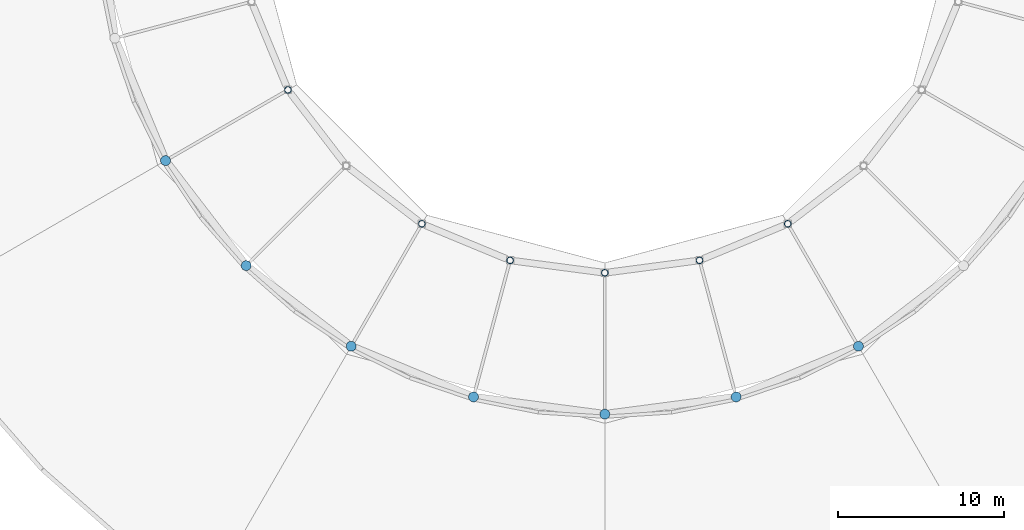
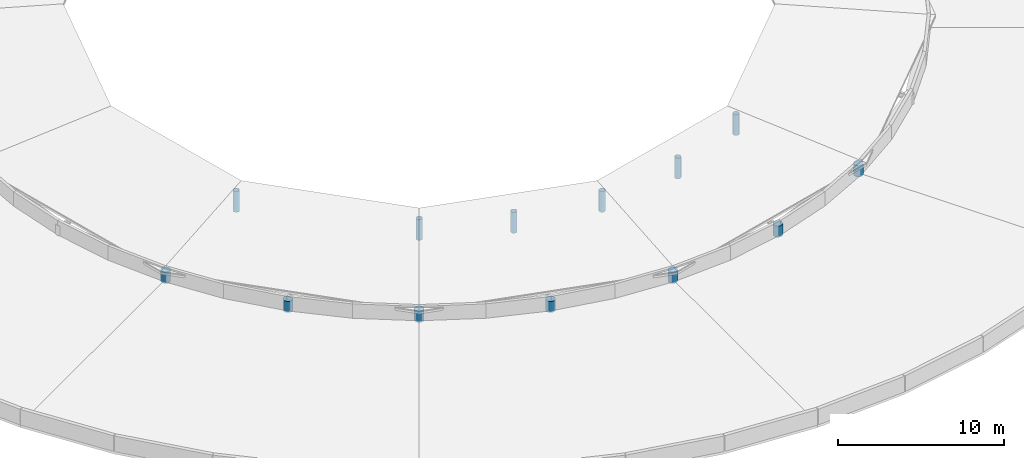
# One storey, part 1 of 77: 13 columns.
"""IFC4 building model written with IfcOpenShell, lengths in metres."""

import ifcopenshell
import ifcopenshell.guid

model = None  # the IFC model being written
_history = None  # IfcOwnerHistory: only IFC2X3 demands one
_inside = {}  # id of a spatial element -> (the spatial element, [elements in it])
_under = {}  # id of a project, library or spatial element -> (it, [spatial elements below it])
_declared = {}  # id of a project -> (the project, [libraries it declares])
_typed = {}  # id of a type object -> (the type object, [elements of that type])
_made_of = {}  # id of a material, layer set ... -> (it, [elements and type objects made of it])


def new_model(schema):
    """Start an empty IFC model of exactly this schema.

    Asked for "IFC4X3", IfcOpenShell would pick the latest addendum, in which some entities
    have other attributes; the version numbers below select the first issue.
    IFC2X3 requires an IfcOwnerHistory on every rooted entity: one is made here for all.
    """
    global model, _history
    if schema == "IFC4X3":
        model = ifcopenshell.file(schema_version=(4, 3, 0, 0))
    else:
        model = ifcopenshell.file(schema=schema)
    _inside.clear()
    _under.clear()
    _declared.clear()
    _typed.clear()
    _made_of.clear()
    _history = None
    if model.schema == "IFC2X3":
        org = make("IfcOrganization", Name="unknown")
        user = make(
            "IfcPersonAndOrganization",
            ThePerson=make("IfcPerson", FamilyName="unknown"),
            TheOrganization=org,
        )
        app = make(
            "IfcApplication",
            ApplicationDeveloper=org,
            Version="unknown",
            ApplicationFullName="unknown",
            ApplicationIdentifier="unknown",
        )
        _history = make(
            "IfcOwnerHistory",
            OwningUser=user,
            OwningApplication=app,
            ChangeAction="ADDED",
            CreationDate=0,
        )
    return model


def make(cls, **values):
    """One entity of the class cls with the attributes given. An attribute that is None is left unset."""
    return model.create_entity(
        cls, **{name: value for name, value in values.items() if value is not None}
    )


def rooted(cls, **values):
    """An entity with a GlobalId (a new one), such as an element, a storey or a relation."""
    return make(cls, GlobalId=ifcopenshell.guid.new(), OwnerHistory=_history, **values)


def si_unit(unit_type, name, prefix=None):
    """IfcSIUnit, for example si_unit("LENGTHUNIT", "METRE", prefix="MILLI")."""
    return make("IfcSIUnit", UnitType=unit_type, Prefix=prefix, Name=name)


def assignment(units):
    """IfcUnitAssignment: the units of a project."""
    return None if units is None else make("IfcUnitAssignment", Units=units)


def point(xyz):
    """IfcCartesianPoint."""
    return None if xyz is None else make("IfcCartesianPoint", Coordinates=xyz)


def direction(xyz):
    """IfcDirection."""
    return None if xyz is None else make("IfcDirection", DirectionRatios=xyz)


def frame(location, z_axis=None, x_axis=None):
    """IfcAxis2Placement3D, a coordinate frame: its origin and axes. An axis left out is left unset."""
    return make(
        "IfcAxis2Placement3D",
        Location=point(location),
        Axis=direction(z_axis),
        RefDirection=direction(x_axis),
    )


def frame_2d(location, x_axis=None):
    """IfcAxis2Placement2D, a coordinate frame in the plane: its origin and x axis."""
    return make(
        "IfcAxis2Placement2D", Location=point(location), RefDirection=direction(x_axis)
    )


def origin():
    """The frame at (0, 0, 0) with its axes left unset."""
    return frame((0.0, 0.0, 0.0))


def origin_2d():
    """The frame at (0, 0) in the plane with its x axis left unset."""
    return frame_2d((0.0, 0.0))


def place(relative_to, where):
    """IfcLocalPlacement: puts the frame where relative to a parent placement (None: the world)."""
    return make(
        "IfcLocalPlacement", PlacementRelTo=relative_to, RelativePlacement=where
    )


def context(
    kind, dimensions, precision=None, world=None, true_north=None, identifier=None
):
    """IfcGeometricRepresentationContext, for example the 3D "Model" context."""
    return make(
        "IfcGeometricRepresentationContext",
        ContextIdentifier=identifier,
        ContextType=kind,
        CoordinateSpaceDimension=dimensions,
        Precision=precision,
        WorldCoordinateSystem=world,
        TrueNorth=true_north,
    )


def subcontext(parent, identifier, kind, view, scale=None):
    """IfcGeometricRepresentationSubContext, for example "Body" below "Model"."""
    return make(
        "IfcGeometricRepresentationSubContext",
        ContextIdentifier=identifier,
        ContextType=kind,
        ParentContext=parent,
        TargetScale=scale,
        TargetView=view,
    )


def project(units=None, contexts=None):
    """IfcProject with its units and contexts."""
    return rooted(
        "IfcProject",
        Name="project",
        RepresentationContexts=contexts,
        UnitsInContext=assignment(units),
    )


def spatial(cls, under=None, at=None, **own):
    """A site, building, storey or space (cls), placed at a placement, below another one or the project."""
    s = rooted(cls, ObjectPlacement=at, **own)
    if under is not None:
        _under.setdefault(under.id(), (under, []))[1].append(s)
    return s


def profile(cls, at=None, kind="AREA", **sizes):
    """A parametric profile (cls). Its sizes go by their IFC names, for example OverallWidth=200.0."""
    return make(cls, ProfileType=kind, Position=at, **sizes)


def circle(**sizes):
    """IfcCircleProfileDef."""
    return profile("IfcCircleProfileDef", **sizes)


def hollow_circle(**sizes):
    """IfcCircleHollowProfileDef."""
    return profile("IfcCircleHollowProfileDef", **sizes)


def extrude(swept, where, along, depth):
    """IfcExtrudedAreaSolid: the profile swept, set in the frame where, extruded along a direction by depth."""
    return make(
        "IfcExtrudedAreaSolid",
        SweptArea=swept,
        Position=where,
        ExtrudedDirection=direction(along),
        Depth=depth,
    )


def shape(context_of_items, identifier, shape_type, items):
    """IfcShapeRepresentation: the items that make up one representation, for example the "Body"."""
    return make(
        "IfcShapeRepresentation",
        ContextOfItems=context_of_items,
        RepresentationIdentifier=identifier,
        RepresentationType=shape_type,
        Items=items,
    )


def material(Name=None, Category=None):
    """IfcMaterial."""
    return make("IfcMaterial", Name=Name, Category=Category)


def material_profile(
    of_material, cross_section, Name=None, Category=None, Priority=None
):
    """IfcMaterialProfile: a cross section and its material."""
    return make(
        "IfcMaterialProfile",
        Name=Name,
        Material=of_material,
        Profile=cross_section,
        Priority=Priority,
        Category=Category,
    )


def profile_set(profiles, Name=None, composite=None):
    """IfcMaterialProfileSet."""
    return make(
        "IfcMaterialProfileSet",
        Name=Name,
        MaterialProfiles=profiles,
        CompositeProfile=composite,
    )


def made_of(thing, what):
    """Note that an element or type object is made of a material, layer set ...; save() writes the relation."""
    if what is not None:
        _made_of.setdefault(what.id(), (what, []))[1].append(thing)
    return thing


def type_object(cls, material=None, **own):
    """A type object (cls), such as IfcWallType, which elements share."""
    return made_of(rooted(cls, **own), material)


def element(
    cls,
    number,
    at=None,
    inside=None,
    cuts=None,
    type_object=None,
    material=None,
    context=None,
    identifier="Body",
    shape_type=None,
    held_by="IfcProductDefinitionShape",
    body=None,
    shapes=None,
    **own,
):
    """One element of the class cls, such as IfcWall. Its Tag is "e" and its number.

    at: its placement. inside: the storey or other place that contains it. cuts: it is an
    opening in that element (IfcRelVoidsElement). A single representation is given by context,
    identifier, shape_type and body (its items); several are given by shapes. held_by: the class
    of the entity that holds the representations. save() writes the other relations.
    """
    e = rooted(cls, Tag="e%d" % number, ObjectPlacement=at, **own)
    if body is not None:
        shapes = [shape(context, identifier, shape_type, body)]
    if shapes is not None:
        e.Representation = make(held_by, Representations=shapes)
    if inside is not None:
        _inside.setdefault(inside.id(), (inside, []))[1].append(e)
    if cuts is not None:
        rooted(
            "IfcRelVoidsElement", RelatingBuildingElement=cuts, RelatedOpeningElement=e
        )
    if type_object is not None:
        _typed.setdefault(type_object.id(), (type_object, []))[1].append(e)
    return made_of(e, material)


def aggregate(whole, parts):
    """IfcRelAggregates: a whole, such as a stair, and the parts it consists of."""
    return rooted("IfcRelAggregates", RelatingObject=whole, RelatedObjects=parts)


def save(model, path):
    """Write the relations noted so far, then the file.

    IfcRelAggregates (storeys below a building ...), IfcRelContainedInSpatialStructure (elements
    in a storey), IfcRelDefinesByType, IfcRelAssociatesMaterial and IfcRelDeclares: one each for
    every whole, place, type object, material and project.
    """
    for whole, parts in _under.values():
        aggregate(whole, parts)
    for where, things in _inside.values():
        rooted(
            "IfcRelContainedInSpatialStructure",
            RelatedElements=things,
            RelatingStructure=where,
        )
    for kind, things in _typed.values():
        rooted("IfcRelDefinesByType", RelatedObjects=things, RelatingType=kind)
    for what, things in _made_of.values():
        rooted("IfcRelAssociatesMaterial", RelatedObjects=things, RelatingMaterial=what)
    for by, libraries in _declared.values():
        rooted("IfcRelDeclares", RelatingContext=by, RelatedDefinitions=libraries)
    model.write(path)


model = new_model("IFC4")

# Units and contexts
model_context = context("Model", 3, precision=1e-05, world=origin(), true_north=direction((0.0, 1.0)))
body_context = subcontext(model_context, "Body", "Model", "MODEL_VIEW")
ifc_project = project(units=[si_unit("LENGTHUNIT", "METRE"), si_unit("AREAUNIT", "SQUARE_METRE"), si_unit("VOLUMEUNIT", "CUBIC_METRE"), si_unit("PLANEANGLEUNIT", "RADIAN"), si_unit("MASSUNIT", "GRAM", prefix="KILO")], contexts=[model_context])

# Site, building, storey
site_placement = place(None, origin())
site = spatial("IfcSite", under=ifc_project, at=site_placement, CompositionType="ELEMENT")
building_placement = place(site_placement, origin())
building = spatial("IfcBuilding", under=site, at=building_placement, Name="Larkveld Mobility Hub", CompositionType="ELEMENT")
storey_placement = place(building_placement, frame((0.0, 0.0, 12.0)))
storey = spatial("IfcBuildingStorey", under=building, at=storey_placement, Name="L03", CompositionType="ELEMENT", Elevation=12.0)

# Columns
ifc_material_1 = material(Name="Concrete C40/50", Category="concrete")
ifc_material_profile_1 = material_profile(ifc_material_1, circle(Radius=0.300048828125, at=origin_2d()), Name="RC COL D600")
ifc_profile_set_1 = profile_set([ifc_material_profile_1], Name="Concrete C40/50")
column_type_1 = type_object("IfcColumnType", Name="CL-RCD600", PredefinedType="COLUMN", material=ifc_profile_set_1)
for number, where, z_axis, x_axis, name in (
    (1, (21.5859375, 32.75, 0.0), (0.0, 0.0, 1.0), (1.0, 0.0, 0.0), "Column DRM-R30-K28 (L03)"),
    (2, (26.43310546875, 26.43310546875, 0.0), (0.0, 0.0, 1.0), (1.0, 0.0, 0.0), "Column DRM-R30-K30 (L03)"),
    (3, (32.75, 21.5859375, 0.0), (0.0, 0.0, 1.0), (1.0, 0.0, 0.0), "Column DRM-R30-K32 (L03)"),
    (4, (40.10595703125, 18.5390625, 0.0), (0.0, 0.0, 1.0), (1.0, 0.0, 0.0), "Column DRM-R30-K34 (L03)"),
    (5, (48.0, 17.5, 0.0), (0.0, 0.0, 1.0), (1.0, 0.0, 0.0), "Column DRM-R30-K36 (L03)"),
    (6, (55.89404296875, 18.5390625, 0.0), (0.0, 0.0, 1.0), (1.0, 0.0, 0.0), "Column DRM-R30-K38 (L03)"),
    (7, (63.25, 21.5859375, 0.0), (0.0, 0.0, 1.0), (1.0, 0.0, 0.0), "Column DRM-R30-K40 (L03)"),
):
    element("IfcColumn", number, at=place(storey_placement, frame(where, z_axis=z_axis, x_axis=x_axis)), inside=storey, type_object=column_type_1, Name=name, PredefinedType="COLUMN", context=body_context, shape_type="SweptSolid", body=[
        extrude(circle(Radius=0.300048828125, at=origin_2d()), origin(), (0.0, 0.0, 1.0), 0.820068359375),
    ])
ifc_material_2 = material(Name="Steel S355JR", Category="steel")
ifc_material_profile_2 = material_profile(ifc_material_2, hollow_circle(Radius=0.203125, WallThickness=0.01611328125, at=origin_2d()), Name="CHS 406.4x16")
ifc_profile_set_2 = profile_set([ifc_material_profile_2], Name="Steel S355JR")
column_type_2 = type_object("IfcColumnType", Name="CL-STCHS406", PredefinedType="COLUMN", material=ifc_profile_set_2)
for number, where, z_axis, x_axis, name in (
    (8, (28.947021484375, 37.0, 0.0), (0.0, 0.0, 1.0), (1.0, 0.0, 0.0), "Column DRM-R22-K28 (L03)"),
    (9, (37.0, 28.947021484375, 0.0), (0.0, 0.0, 1.0), (1.0, 0.0, 0.0), "Column DRM-R22-K32 (L03)"),
    (10, (42.305908203125, 26.75, 0.0), (0.0, 0.0, 1.0), (1.0, 0.0, 0.0), "Column DRM-R22-K34 (L03)"),
    (11, (48.0, 26.0, 0.0), (0.0, 0.0, 1.0), (1.0, 0.0, 0.0), "Column DRM-R22-K36 (L03)"),
    (12, (53.694091796875, 26.75, 0.0), (0.0, 0.0, 1.0), (1.0, 0.0, 0.0), "Column DRM-R22-K38 (L03)"),
    (13, (59.0, 28.947021484375, 0.0), (0.0, 0.0, 1.0), (1.0, 0.0, 0.0), "Column DRM-R22-K40 (L03)"),
):
    element("IfcColumn", number, at=place(storey_placement, frame(where, z_axis=z_axis, x_axis=x_axis)), inside=storey, type_object=column_type_2, Name=name, PredefinedType="COLUMN", context=body_context, shape_type="SweptSolid", body=[
        extrude(hollow_circle(Radius=0.203125, WallThickness=0.01611328125, at=origin_2d()), origin(), (0.0, 0.0, 1.0), 1.52001953125),
    ])

save(model, "model.ifc")
